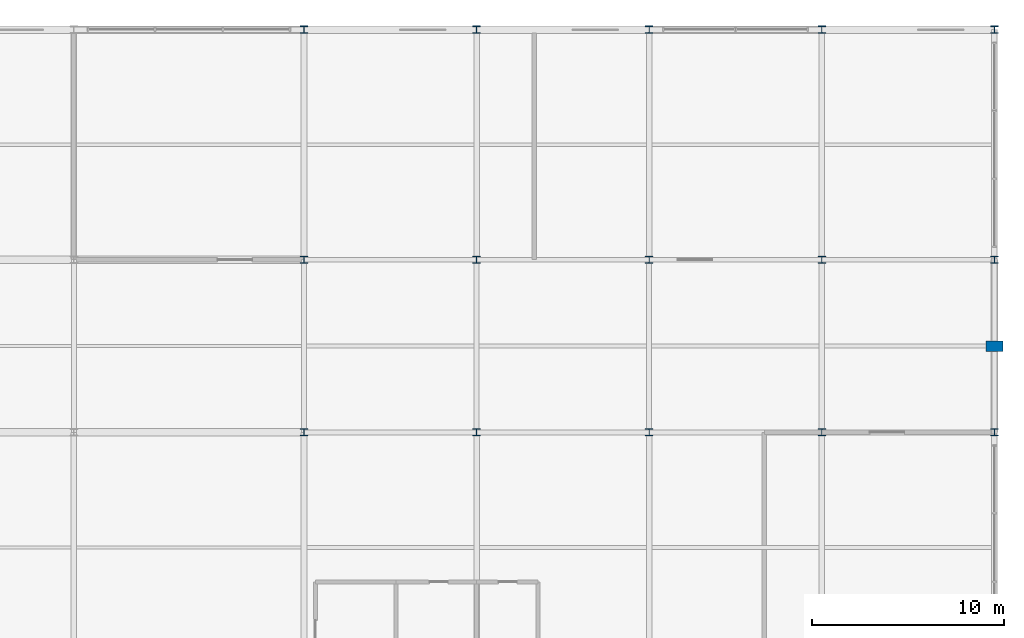
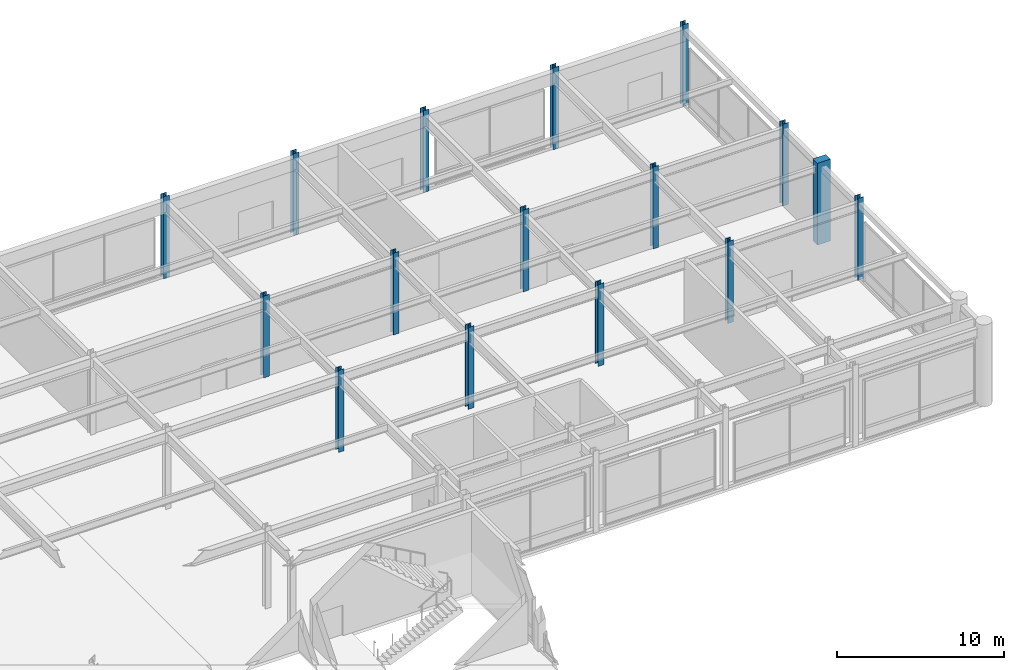
# One storey, part 16 of 108: 16 columns.
"""IFC4 building model written with IfcOpenShell, lengths in metres."""

import ifcopenshell
import ifcopenshell.guid

model = None  # the IFC model being written
_history = None  # IfcOwnerHistory: only IFC2X3 demands one
_inside = {}  # id of a spatial element -> (the spatial element, [elements in it])
_under = {}  # id of a project, library or spatial element -> (it, [spatial elements below it])
_declared = {}  # id of a project -> (the project, [libraries it declares])
_typed = {}  # id of a type object -> (the type object, [elements of that type])
_made_of = {}  # id of a material, layer set ... -> (it, [elements and type objects made of it])


def new_model(schema):
    """Start an empty IFC model of exactly this schema.

    Asked for "IFC4X3", IfcOpenShell would pick the latest addendum, in which some entities
    have other attributes; the version numbers below select the first issue.
    IFC2X3 requires an IfcOwnerHistory on every rooted entity: one is made here for all.
    """
    global model, _history
    if schema == "IFC4X3":
        model = ifcopenshell.file(schema_version=(4, 3, 0, 0))
    else:
        model = ifcopenshell.file(schema=schema)
    _inside.clear()
    _under.clear()
    _declared.clear()
    _typed.clear()
    _made_of.clear()
    _history = None
    if model.schema == "IFC2X3":
        org = make("IfcOrganization", Name="unknown")
        user = make(
            "IfcPersonAndOrganization",
            ThePerson=make("IfcPerson", FamilyName="unknown"),
            TheOrganization=org,
        )
        app = make(
            "IfcApplication",
            ApplicationDeveloper=org,
            Version="unknown",
            ApplicationFullName="unknown",
            ApplicationIdentifier="unknown",
        )
        _history = make(
            "IfcOwnerHistory",
            OwningUser=user,
            OwningApplication=app,
            ChangeAction="ADDED",
            CreationDate=0,
        )
    return model


def make(cls, **values):
    """One entity of the class cls with the attributes given. An attribute that is None is left unset."""
    return model.create_entity(
        cls, **{name: value for name, value in values.items() if value is not None}
    )


def rooted(cls, **values):
    """An entity with a GlobalId (a new one), such as an element, a storey or a relation."""
    return make(cls, GlobalId=ifcopenshell.guid.new(), OwnerHistory=_history, **values)


def si_unit(unit_type, name, prefix=None):
    """IfcSIUnit, for example si_unit("LENGTHUNIT", "METRE", prefix="MILLI")."""
    return make("IfcSIUnit", UnitType=unit_type, Prefix=prefix, Name=name)


def assignment(units):
    """IfcUnitAssignment: the units of a project."""
    return None if units is None else make("IfcUnitAssignment", Units=units)


def point(xyz):
    """IfcCartesianPoint."""
    return None if xyz is None else make("IfcCartesianPoint", Coordinates=xyz)


def direction(xyz):
    """IfcDirection."""
    return None if xyz is None else make("IfcDirection", DirectionRatios=xyz)


def frame(location, z_axis=None, x_axis=None):
    """IfcAxis2Placement3D, a coordinate frame: its origin and axes. An axis left out is left unset."""
    return make(
        "IfcAxis2Placement3D",
        Location=point(location),
        Axis=direction(z_axis),
        RefDirection=direction(x_axis),
    )


def frame_2d(location, x_axis=None):
    """IfcAxis2Placement2D, a coordinate frame in the plane: its origin and x axis."""
    return make(
        "IfcAxis2Placement2D", Location=point(location), RefDirection=direction(x_axis)
    )


def origin():
    """The frame at (0, 0, 0) with its axes left unset."""
    return frame((0.0, 0.0, 0.0))


def origin_2d():
    """The frame at (0, 0) in the plane with its x axis left unset."""
    return frame_2d((0.0, 0.0))


def place(relative_to, where):
    """IfcLocalPlacement: puts the frame where relative to a parent placement (None: the world)."""
    return make(
        "IfcLocalPlacement", PlacementRelTo=relative_to, RelativePlacement=where
    )


def context(
    kind, dimensions, precision=None, world=None, true_north=None, identifier=None
):
    """IfcGeometricRepresentationContext, for example the 3D "Model" context."""
    return make(
        "IfcGeometricRepresentationContext",
        ContextIdentifier=identifier,
        ContextType=kind,
        CoordinateSpaceDimension=dimensions,
        Precision=precision,
        WorldCoordinateSystem=world,
        TrueNorth=true_north,
    )


def subcontext(parent, identifier, kind, view, scale=None):
    """IfcGeometricRepresentationSubContext, for example "Body" below "Model"."""
    return make(
        "IfcGeometricRepresentationSubContext",
        ContextIdentifier=identifier,
        ContextType=kind,
        ParentContext=parent,
        TargetScale=scale,
        TargetView=view,
    )


def project(units=None, contexts=None):
    """IfcProject with its units and contexts."""
    return rooted(
        "IfcProject",
        Name="project",
        RepresentationContexts=contexts,
        UnitsInContext=assignment(units),
    )


def spatial(cls, under=None, at=None, **own):
    """A site, building, storey or space (cls), placed at a placement, below another one or the project."""
    s = rooted(cls, ObjectPlacement=at, **own)
    if under is not None:
        _under.setdefault(under.id(), (under, []))[1].append(s)
    return s


def profile(cls, at=None, kind="AREA", **sizes):
    """A parametric profile (cls). Its sizes go by their IFC names, for example OverallWidth=200.0."""
    return make(cls, ProfileType=kind, Position=at, **sizes)


def rectangle(**sizes):
    """IfcRectangleProfileDef."""
    return profile("IfcRectangleProfileDef", **sizes)


def i_section(**sizes):
    """IfcIShapeProfileDef."""
    return profile("IfcIShapeProfileDef", **sizes)


def extrude(swept, where, along, depth):
    """IfcExtrudedAreaSolid: the profile swept, set in the frame where, extruded along a direction by depth."""
    return make(
        "IfcExtrudedAreaSolid",
        SweptArea=swept,
        Position=where,
        ExtrudedDirection=direction(along),
        Depth=depth,
    )


def shape(context_of_items, identifier, shape_type, items):
    """IfcShapeRepresentation: the items that make up one representation, for example the "Body"."""
    return make(
        "IfcShapeRepresentation",
        ContextOfItems=context_of_items,
        RepresentationIdentifier=identifier,
        RepresentationType=shape_type,
        Items=items,
    )


def material(Name=None, Category=None):
    """IfcMaterial."""
    return make("IfcMaterial", Name=Name, Category=Category)


def material_profile(
    of_material, cross_section, Name=None, Category=None, Priority=None
):
    """IfcMaterialProfile: a cross section and its material."""
    return make(
        "IfcMaterialProfile",
        Name=Name,
        Material=of_material,
        Profile=cross_section,
        Priority=Priority,
        Category=Category,
    )


def profile_set(profiles, Name=None, composite=None):
    """IfcMaterialProfileSet."""
    return make(
        "IfcMaterialProfileSet",
        Name=Name,
        MaterialProfiles=profiles,
        CompositeProfile=composite,
    )


def made_of(thing, what):
    """Note that an element or type object is made of a material, layer set ...; save() writes the relation."""
    if what is not None:
        _made_of.setdefault(what.id(), (what, []))[1].append(thing)
    return thing


def type_object(cls, material=None, **own):
    """A type object (cls), such as IfcWallType, which elements share."""
    return made_of(rooted(cls, **own), material)


def element(
    cls,
    number,
    at=None,
    inside=None,
    cuts=None,
    type_object=None,
    material=None,
    context=None,
    identifier="Body",
    shape_type=None,
    held_by="IfcProductDefinitionShape",
    body=None,
    shapes=None,
    **own,
):
    """One element of the class cls, such as IfcWall. Its Tag is "e" and its number.

    at: its placement. inside: the storey or other place that contains it. cuts: it is an
    opening in that element (IfcRelVoidsElement). A single representation is given by context,
    identifier, shape_type and body (its items); several are given by shapes. held_by: the class
    of the entity that holds the representations. save() writes the other relations.
    """
    e = rooted(cls, Tag="e%d" % number, ObjectPlacement=at, **own)
    if body is not None:
        shapes = [shape(context, identifier, shape_type, body)]
    if shapes is not None:
        e.Representation = make(held_by, Representations=shapes)
    if inside is not None:
        _inside.setdefault(inside.id(), (inside, []))[1].append(e)
    if cuts is not None:
        rooted(
            "IfcRelVoidsElement", RelatingBuildingElement=cuts, RelatedOpeningElement=e
        )
    if type_object is not None:
        _typed.setdefault(type_object.id(), (type_object, []))[1].append(e)
    return made_of(e, material)


def aggregate(whole, parts):
    """IfcRelAggregates: a whole, such as a stair, and the parts it consists of."""
    return rooted("IfcRelAggregates", RelatingObject=whole, RelatedObjects=parts)


def save(model, path):
    """Write the relations noted so far, then the file.

    IfcRelAggregates (storeys below a building ...), IfcRelContainedInSpatialStructure (elements
    in a storey), IfcRelDefinesByType, IfcRelAssociatesMaterial and IfcRelDeclares: one each for
    every whole, place, type object, material and project.
    """
    for whole, parts in _under.values():
        aggregate(whole, parts)
    for where, things in _inside.values():
        rooted(
            "IfcRelContainedInSpatialStructure",
            RelatedElements=things,
            RelatingStructure=where,
        )
    for kind, things in _typed.values():
        rooted("IfcRelDefinesByType", RelatedObjects=things, RelatingType=kind)
    for what, things in _made_of.values():
        rooted("IfcRelAssociatesMaterial", RelatedObjects=things, RelatingMaterial=what)
    for by, libraries in _declared.values():
        rooted("IfcRelDeclares", RelatingContext=by, RelatedDefinitions=libraries)
    model.write(path)


model = new_model("IFC4")

# Units and contexts
model_context = context("Model", 3, precision=1e-05, world=origin(), true_north=direction((0.0, 1.0)))
body_context = subcontext(model_context, "Body", "Model", "MODEL_VIEW")
ifc_project = project(units=[si_unit("LENGTHUNIT", "METRE"), si_unit("AREAUNIT", "SQUARE_METRE"), si_unit("VOLUMEUNIT", "CUBIC_METRE"), si_unit("PLANEANGLEUNIT", "RADIAN"), si_unit("MASSUNIT", "GRAM", prefix="KILO")], contexts=[model_context])

# Site, building, storey
site_placement = place(None, origin())
site = spatial("IfcSite", under=ifc_project, at=site_placement, CompositionType="ELEMENT")
building_placement = place(site_placement, origin())
building = spatial("IfcBuilding", under=site, at=building_placement, Name="Kaldorvane Square Convention Centre", CompositionType="ELEMENT")
storey_placement = place(building_placement, frame((0.0, 0.0, 12.0)))
storey = spatial("IfcBuildingStorey", under=building, at=storey_placement, Name="L02", CompositionType="ELEMENT", Elevation=12.0)

# Columns
ifc_material_1 = material(Name="Steel ASTM A992 Gr. 50", Category="steel")
ifc_material_profile_1 = material_profile(ifc_material_1, i_section(OverallWidth=0.393707275390625, OverallDepth=0.375396728515625, WebThickness=0.017303466796875, FlangeThickness=0.0276947021484375, FilletRadius=0.0305023193359375, at=origin_2d()), Name="W14X145")
ifc_profile_set_1 = profile_set([ifc_material_profile_1], Name="Steel ASTM A992 Gr. 50")
column_type_1 = type_object("IfcColumnType", Name="COL-STL-145", PredefinedType="COLUMN", material=ifc_profile_set_1)
for number, where, z_axis, x_axis, name in (
    (1, (138.0, 96.0, 0.0), (0.0, 0.0, 1.0), (1.0, 0.0, 0.0), "Column SC-10 (L02)"),
    (2, (138.0, 105.0, 0.0), (0.0, 0.0, 1.0), (1.0, 0.0, 0.0), "Column SC-10 (L02)"),
    (3, (138.0, 117.0, 0.0), (0.0, 0.0, 1.0), (1.0, 0.0, 0.0), "Column SC-10 (L02)"),
    (4, (147.0, 96.0, 0.0), (0.0, 0.0, 1.0), (1.0, 0.0, 0.0), "Column SC-10 (L02)"),
    (5, (147.0, 105.0, 0.0), (0.0, 0.0, 1.0), (1.0, 0.0, 0.0), "Column SC-10 (L02)"),
    (6, (147.0, 117.0, 0.0), (0.0, 0.0, 1.0), (1.0, 0.0, 0.0), "Column SC-10 (L02)"),
    (7, (156.0, 96.0, 0.0), (0.0, 0.0, 1.0), (1.0, 0.0, 0.0), "Column SC-10 (L02)"),
    (8, (156.0, 105.0, 0.0), (0.0, 0.0, 1.0), (1.0, 0.0, 0.0), "Column SC-10 (L02)"),
    (9, (156.0, 117.0, 0.0), (0.0, 0.0, 1.0), (1.0, 0.0, 0.0), "Column SC-10 (L02)"),
    (10, (165.0, 96.0, 0.0), (0.0, 0.0, 1.0), (1.0, 0.0, 0.0), "Column SC-10 (L02)"),
    (11, (165.0, 105.0, 0.0), (0.0, 0.0, 1.0), (1.0, 0.0, 0.0), "Column SC-10 (L02)"),
    (12, (165.0, 117.0, 0.0), (0.0, 0.0, 1.0), (1.0, 0.0, 0.0), "Column SC-10 (L02)"),
    (13, (174.0, 96.0, 0.0), (0.0, 0.0, 1.0), (1.0, 0.0, 0.0), "Column SC-10 (L02)"),
    (14, (174.0, 105.0, 0.0), (0.0, 0.0, 1.0), (1.0, 0.0, 0.0), "Column SC-10 (L02)"),
    (15, (174.0, 117.0, 0.0), (0.0, 0.0, 1.0), (1.0, 0.0, 0.0), "Column SC-10 (L02)"),
):
    element("IfcColumn", number, at=place(storey_placement, frame(where, z_axis=z_axis, x_axis=x_axis)), inside=storey, type_object=column_type_1, Name=name, PredefinedType="COLUMN", context=body_context, shape_type="SweptSolid", body=[
        extrude(i_section(OverallWidth=0.393707275390625, OverallDepth=0.375396728515625, WebThickness=0.017303466796875, FlangeThickness=0.0276947021484375, FilletRadius=0.0305023193359375, at=origin_2d()), origin(), (0.0, 0.0, 1.0), 6.0),
    ])
ifc_material_2 = material(Name="Concrete f'c = 42 MPa (Normalweight)", Category="concrete")
ifc_material_profile_2 = material_profile(ifc_material_2, rectangle(XDim=0.5500030517578125, YDim=0.899993896484375, at=origin_2d()), Name="PIL900X550")
ifc_profile_set_2 = profile_set([ifc_material_profile_2], Name="Concrete f'c = 42 MPa (Normalweight)")
column_type_2 = type_object("IfcColumnType", Name="PIL-BRUT-900", PredefinedType="PILASTER", material=ifc_profile_set_2)
column_placement = place(storey_placement, frame((174.0, 100.5, 0.0), z_axis=(0.0, 0.0, 1.0), x_axis=(0.0, 1.0, 0.0)))
element("IfcColumn", 16, at=column_placement, inside=storey, type_object=column_type_2, Name="Brutalist Colonnade Pilaster (L02)", PredefinedType="PILASTER", context=body_context, shape_type="SweptSolid", body=[
    extrude(rectangle(XDim=0.5500030517578125, YDim=0.899993896484375, at=origin_2d()), origin(), (0.0, 0.0, 1.0), 6.0),
])

save(model, "model.ifc")
